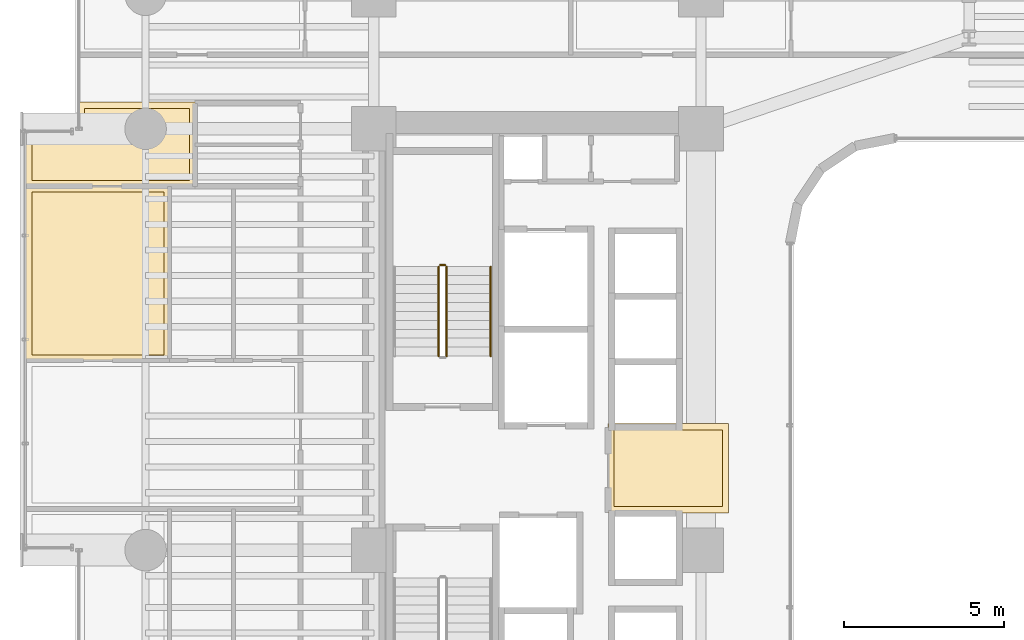
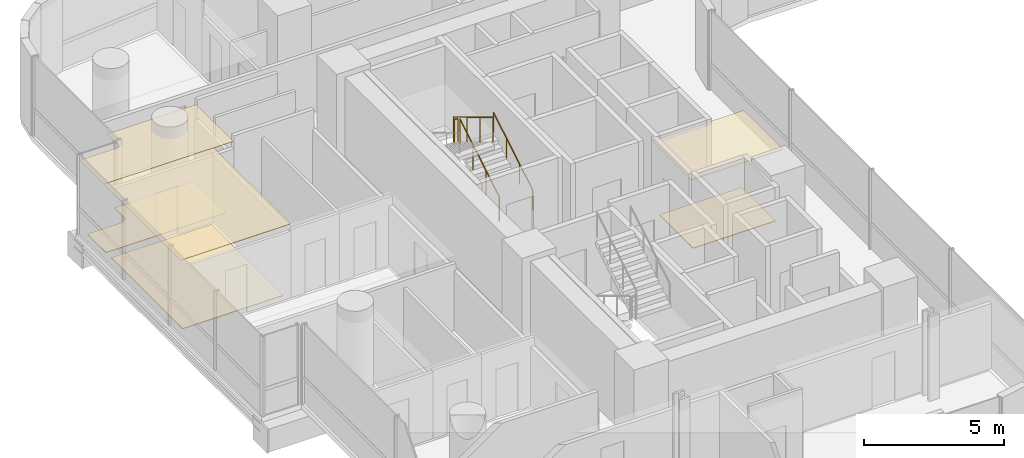
# One storey, part 36 of 40: 6 coverings, 4 railings.
"""IFC4 building model written with IfcOpenShell, lengths in metres."""

from ifc_helpers import new_model, si_unit, direction, frame, origin, origin_2d, place, context, subcontext, project, spatial, polyline, circle, outline, extrude, material, layer, layer_set, type_object, element, save


model = new_model("IFC4")

# Units and contexts
model_context = context("Model", 3, precision=1e-05, world=origin(), true_north=direction((0.0, 1.0)))
body_context = subcontext(model_context, "Body", "Model", "MODEL_VIEW")
ifc_project = project(units=[si_unit("LENGTHUNIT", "METRE"), si_unit("AREAUNIT", "SQUARE_METRE"), si_unit("VOLUMEUNIT", "CUBIC_METRE"), si_unit("PLANEANGLEUNIT", "RADIAN"), si_unit("MASSUNIT", "GRAM", prefix="KILO")], contexts=[model_context])

# Site, building, storey
site_placement = place(None, origin())
site = spatial("IfcSite", under=ifc_project, at=site_placement, CompositionType="ELEMENT")
building_placement = place(site_placement, origin())
building = spatial("IfcBuilding", under=site, at=building_placement, Name="Valdorenza Pilgrim Sanctuary Tower", CompositionType="ELEMENT")
storey_placement = place(building_placement, frame((0.0, 0.0, 44.5)))
storey = spatial("IfcBuildingStorey", under=building, at=storey_placement, Name="L10", CompositionType="ELEMENT", Elevation=44.5)

# Coverings
ifc_material_1 = material(Name="Micro-perforated acoustic mineral ceiling tile", Category="gypsum")
ifc_layer_1 = layer(ifc_material_1, 0.02490234375, Name="Micro-perforated acoustic mineral ceiling tile")
ifc_layer_set_1 = layer_set([ifc_layer_1], Name="Micro-perforated acoustic mineral ceiling tile")
covering_type_1 = type_object("IfcCoveringType", Name="COV-CLG-ACU", PredefinedType="CEILING", material=ifc_layer_set_1)
covering_1_placement = place(storey_placement, frame((0.0, 0.0, 3.159912109375)))
element("IfcCovering", 1, at=covering_1_placement, inside=storey, type_object=covering_type_1, Name="L10 Core A Passenger Lift Lobby Acoustic Ceiling", PredefinedType="CEILING", context=body_context, shape_type="SweptSolid", body=[
    extrude(outline(polyline([(-15.31298828125, 1.244384765625), (-15.31298828125, 1.24462890625), (-15.313720703125, 1.24609375), (-15.314208984375, 1.24755859375), (-15.314697265625, 1.2490234375), (-15.31494140625, 1.25048828125), (-15.31494140625, 1.251953125), (-15.31494140625, 1.35009765625), (-15.31494140625, 1.3515625), (-15.314697265625, 1.352783203125), (-15.314453125, 1.3544921875), (-15.31396484375, 1.355712890625), (-15.313232421875, 1.357177734375), (-15.3125, 1.3583984375), (-15.3115234375, 1.359619140625), (-15.310546875, 1.360595703125), (-15.3095703125, 1.361572265625), (-15.308349609375, 1.362548828125), (-15.30712890625, 1.36328125), (-15.3056640625, 1.364013671875), (-15.304443359375, 1.364501953125), (-15.302978515625, 1.36474609375), (-15.301513671875, 1.364990234375), (-15.300048828125, 1.364990234375), (-15.10205078125, 1.364990234375), (-15.1005859375, 1.364990234375), (-15.09912109375, 1.36474609375), (-15.097412109375, 1.3642578125), (-15.09619140625, 1.36376953125), (-15.0947265625, 1.363037109375), (-15.094482421875, 1.363037109375), (-13.185546875, 1.363037109375), (-13.185302734375, 1.363037109375), (-13.183837890625, 1.36376953125), (-13.1826171875, 1.3642578125), (-13.180908203125, 1.36474609375), (-13.179443359375, 1.364990234375), (-13.177978515625, 1.364990234375), (-11.550048828125, 1.364990234375), (-11.548583984375, 1.364990234375), (-11.547119140625, 1.36474609375), (-11.545654296875, 1.364501953125), (-11.544189453125, 1.364013671875), (-11.54296875, 1.36328125), (-11.541748046875, 1.362548828125), (-11.54052734375, 1.361572265625), (-11.539306640625, 1.360595703125), (-11.538330078125, 1.359619140625), (-11.53759765625, 1.3583984375), (-11.536865234375, 1.357177734375), (-11.5361328125, 1.355712890625), (-11.53564453125, 1.3544921875), (-11.535400390625, 1.352783203125), (-11.53515625, 1.3515625), (-11.534912109375, 1.35009765625), (-11.534912109375, -1.419921875), (-11.53515625, -1.42138671875), (-11.535400390625, -1.4228515625), (-11.53564453125, -1.42431640625), (-11.5361328125, -1.42578125), (-11.536865234375, -1.427001953125), (-11.53759765625, -1.42822265625), (-11.538330078125, -1.429443359375), (-11.539306640625, -1.4306640625), (-11.54052734375, -1.431640625), (-11.541748046875, -1.4326171875), (-11.54296875, -1.43310546875), (-11.544189453125, -1.433837890625), (-11.545654296875, -1.434326171875), (-11.547119140625, -1.434814453125), (-11.548583984375, -1.434814453125), (-11.550048828125, -1.43505859375), (-15.298095703125, -1.43505859375), (-15.299560546875, -1.434814453125), (-15.30078125, -1.434814453125), (-15.302490234375, -1.434326171875), (-15.3037109375, -1.433837890625), (-15.30517578125, -1.43310546875), (-15.306396484375, -1.4326171875), (-15.3076171875, -1.431640625), (-15.30859375, -1.4306640625), (-15.3095703125, -1.429443359375), (-15.310546875, -1.42822265625), (-15.311279296875, -1.427001953125), (-15.31201171875, -1.42578125), (-15.3125, -1.42431640625), (-15.312744140625, -1.4228515625), (-15.31298828125, -1.42138671875), (-15.31298828125, -1.419921875), (-15.31298828125, 1.244384765625)])), origin(), (0.0, 0.0, 1.0), 0.025146484375),
])
covering_2_placement = place(storey_placement, frame((0.0, 0.0, 3.159912109375)))
element("IfcCovering", 2, at=covering_2_placement, inside=storey, type_object=covering_type_1, Name="L10 Pilgrim Scholar Office L10-WN Acoustic Ceiling", PredefinedType="CEILING", context=body_context, shape_type="SweptSolid", body=[
    extrude(outline(polyline([(-28.237060546875, 11.39453125), (-28.237060546875, 10.103759765625), (-28.23681640625, 10.10302734375), (-28.23681640625, 10.1015625), (-28.23681640625, 10.10009765625), (-28.23681640625, 10.098388671875), (-28.237060546875, 10.09814453125), (-28.237060546875, 8.800048828125), (-28.237060546875, 8.798583984375), (-28.2373046875, 8.797119140625), (-28.237548828125, 8.795654296875), (-28.238037109375, 8.794189453125), (-28.23876953125, 8.79296875), (-28.239501953125, 8.791748046875), (-28.240478515625, 8.79052734375), (-28.241455078125, 8.789306640625), (-28.242431640625, 8.788330078125), (-28.24365234375, 8.78759765625), (-28.244873046875, 8.786865234375), (-28.246337890625, 8.7861328125), (-28.24755859375, 8.78564453125), (-28.2490234375, 8.785400390625), (-28.25048828125, 8.78515625), (-28.251953125, 8.784912109375), (-33.5400390625, 8.784912109375), (-33.54150390625, 8.78515625), (-33.54296875, 8.785400390625), (-33.54443359375, 8.78564453125), (-33.545654296875, 8.7861328125), (-33.547119140625, 8.786865234375), (-33.54833984375, 8.78759765625), (-33.549560546875, 8.788330078125), (-33.550537109375, 8.789306640625), (-33.551513671875, 8.79052734375), (-33.552490234375, 8.791748046875), (-33.55322265625, 8.79296875), (-33.553955078125, 8.794189453125), (-33.554443359375, 8.795654296875), (-33.5546875, 8.797119140625), (-33.554931640625, 8.798583984375), (-33.554931640625, 8.800048828125), (-33.554931640625, 10.489990234375), (-33.554931640625, 10.491455078125), (-33.5546875, 10.492919921875), (-33.554443359375, 10.494384765625), (-33.553955078125, 10.49560546875), (-33.55322265625, 10.4970703125), (-33.552490234375, 10.498291015625), (-33.551513671875, 10.49951171875), (-33.550537109375, 10.50048828125), (-33.549560546875, 10.501708984375), (-33.54833984375, 10.50244140625), (-33.547119140625, 10.503173828125), (-33.545654296875, 10.50390625), (-33.54443359375, 10.50439453125), (-33.54296875, 10.504638671875), (-33.54150390625, 10.5048828125), (-33.5400390625, 10.5048828125), (-32.00048828125, 10.5048828125), (-31.99072265625, 10.505615234375), (-31.9814453125, 10.5068359375), (-31.972412109375, 10.509033203125), (-31.963623046875, 10.51220703125), (-31.955078125, 10.51611328125), (-31.947265625, 10.52099609375), (-31.939697265625, 10.526611328125), (-31.932861328125, 10.53271484375), (-31.926513671875, 10.539794921875), (-31.9208984375, 10.547119140625), (-31.916259765625, 10.55517578125), (-31.912109375, 10.563720703125), (-31.9091796875, 10.572509765625), (-31.90673828125, 10.58154296875), (-31.905517578125, 10.5908203125), (-31.905029296875, 10.600341796875), (-31.905029296875, 11.419921875), (-31.90478515625, 11.42138671875), (-31.90478515625, 11.4228515625), (-31.904296875, 11.42431640625), (-31.90380859375, 11.42578125), (-31.9033203125, 11.427001953125), (-31.902587890625, 11.42822265625), (-31.901611328125, 11.429443359375), (-31.900634765625, 11.4306640625), (-31.8994140625, 11.431640625), (-31.898193359375, 11.4326171875), (-31.897216796875, 11.43310546875), (-31.895751953125, 11.433837890625), (-31.894287109375, 11.434326171875), (-31.892822265625, 11.434814453125), (-31.8916015625, 11.434814453125), (-31.889892578125, 11.43505859375), (-28.25, 11.43505859375), (-28.24853515625, 11.434814453125), (-28.2470703125, 11.434814453125), (-28.24560546875, 11.434326171875), (-28.244384765625, 11.433837890625), (-28.242919921875, 11.43310546875), (-28.24169921875, 11.4326171875), (-28.240478515625, 11.431640625), (-28.239501953125, 11.4306640625), (-28.23828125, 11.429443359375), (-28.237548828125, 11.42822265625), (-28.23681640625, 11.427001953125), (-28.236083984375, 11.42578125), (-28.235595703125, 11.42431640625), (-28.2353515625, 11.4228515625), (-28.235107421875, 11.42138671875), (-28.235107421875, 11.419921875), (-28.235107421875, 11.402099609375), (-28.235107421875, 11.400390625), (-28.2353515625, 11.39892578125), (-28.235595703125, 11.3974609375), (-28.236083984375, 11.39599609375), (-28.23681640625, 11.394775390625), (-28.237060546875, 11.39453125)])), origin(), (0.0, 0.0, 1.0), 0.025146484375),
])
covering_3_placement = place(storey_placement, frame((0.0, 0.0, 3.159912109375)))
element("IfcCovering", 3, at=covering_3_placement, inside=storey, type_object=covering_type_1, Name="L10 Pilgrim Family Flat L10-W2 Bedroom Acoustic Ceiling", PredefinedType="CEILING", context=body_context, shape_type="SweptSolid", body=[
    extrude(outline(polyline([(-29.034912109375, 3.340576171875), (-29.03515625, 3.339111328125), (-29.035400390625, 3.337646484375), (-29.03564453125, 3.336181640625), (-29.0361328125, 3.3349609375), (-29.036865234375, 3.33349609375), (-29.03759765625, 3.332275390625), (-29.038330078125, 3.3310546875), (-29.039306640625, 3.330078125), (-29.04052734375, 3.3291015625), (-29.041748046875, 3.328125), (-29.04296875, 3.327392578125), (-29.044189453125, 3.32666015625), (-29.045654296875, 3.326171875), (-29.047119140625, 3.325927734375), (-29.048583984375, 3.32568359375), (-29.050048828125, 3.32568359375), (-33.5400390625, 3.32568359375), (-33.54150390625, 3.32568359375), (-33.54296875, 3.325927734375), (-33.54443359375, 3.326171875), (-33.545654296875, 3.32666015625), (-33.547119140625, 3.327392578125), (-33.54833984375, 3.328125), (-33.549560546875, 3.3291015625), (-33.550537109375, 3.330078125), (-33.551513671875, 3.3310546875), (-33.552490234375, 3.332275390625), (-33.55322265625, 3.33349609375), (-33.553955078125, 3.3349609375), (-33.554443359375, 3.336181640625), (-33.5546875, 3.337646484375), (-33.554931640625, 3.339111328125), (-33.554931640625, 3.340576171875), (-33.554931640625, 8.798095703125), (-33.554931640625, 8.799560546875), (-33.5546875, 8.80078125), (-33.554443359375, 8.802490234375), (-33.553955078125, 8.8037109375), (-33.55322265625, 8.80517578125), (-33.552490234375, 8.806396484375), (-33.551513671875, 8.8076171875), (-33.550537109375, 8.80859375), (-33.549560546875, 8.8095703125), (-33.54833984375, 8.810546875), (-33.547119140625, 8.811279296875), (-33.545654296875, 8.81201171875), (-33.54443359375, 8.8125), (-33.54296875, 8.812744140625), (-33.54150390625, 8.81298828125), (-33.5400390625, 8.81298828125), (-29.050048828125, 8.81298828125), (-29.048583984375, 8.81298828125), (-29.047119140625, 8.812744140625), (-29.045654296875, 8.8125), (-29.044189453125, 8.81201171875), (-29.04296875, 8.811279296875), (-29.041748046875, 8.810546875), (-29.04052734375, 8.8095703125), (-29.039306640625, 8.80859375), (-29.038330078125, 8.8076171875), (-29.03759765625, 8.806396484375), (-29.036865234375, 8.80517578125), (-29.0361328125, 8.8037109375), (-29.03564453125, 8.802490234375), (-29.035400390625, 8.80078125), (-29.03515625, 8.799560546875), (-29.034912109375, 8.798095703125), (-29.034912109375, 3.340576171875)])), origin(), (0.0, 0.0, 1.0), 0.025146484375),
])
ifc_material_2 = material(Name="Engineered European oak timber flooring", Category="wood")
ifc_layer_2 = layer(ifc_material_2, 0.02197265625, Name="Engineered European oak timber flooring")
ifc_layer_set_2 = layer_set([ifc_layer_2], Name="Engineered European oak timber flooring")
covering_type_2 = type_object("IfcCoveringType", Name="COV-FLR-OAK", PredefinedType="FLOORING", material=ifc_layer_set_2)
covering_4_placement = place(storey_placement, origin())
element("IfcCovering", 4, at=covering_4_placement, inside=storey, type_object=covering_type_2, Name="L10 Pilgrim Family Flat L10-W2 Bedroom Flooring", PredefinedType="FLOORING", context=body_context, shape_type="SweptSolid", body=[
    extrude(outline(polyline([(-29.22998046875, 3.5205078125), (-33.360107421875, 3.5205078125), (-33.360107421875, 8.617919921875), (-29.22998046875, 8.617919921875), (-29.22998046875, 3.5205078125)])), origin(), (0.0, 0.0, 1.0), 0.02490234375),
])
ifc_material_3 = material(Name="Honed travertine stone flooring", Category="masonry")
ifc_layer_3 = layer(ifc_material_3, 0.030029296875, Name="Honed travertine stone flooring")
ifc_layer_set_3 = layer_set([ifc_layer_3], Name="Honed travertine stone flooring")
covering_type_3 = type_object("IfcCoveringType", Name="COV-FLR-TRV", PredefinedType="FLOORING", material=ifc_layer_set_3)
covering_5_placement = place(storey_placement, origin())
element("IfcCovering", 5, at=covering_5_placement, inside=storey, type_object=covering_type_3, Name="L10 Core A Passenger Lift Lobby Flooring", PredefinedType="FLOORING", context=body_context, shape_type="SweptSolid", body=[
    extrude(outline(polyline([(-15.117919921875, 1.169189453125), (-15.10888671875, 1.168212890625), (-15.10888671875, 1.168212890625), (-15.10009765625, 1.16796875), (-13.179931640625, 1.16796875), (-13.1796875, 1.16796875), (-11.72998046875, 1.169921875), (-11.72998046875, -1.239990234375), (-15.117919921875, -1.239990234375), (-15.117919921875, 1.169189453125)])), origin(), (0.0, 0.0, 1.0), 0.02490234375),
])
covering_6_placement = place(storey_placement, origin())
element("IfcCovering", 6, at=covering_6_placement, inside=storey, type_object=covering_type_3, Name="L10 Pilgrim Scholar Office L10-WN Flooring", PredefinedType="FLOORING", context=body_context, shape_type="SweptSolid", body=[
    extrude(outline(polyline([(-28.431884765625, 11.239990234375), (-28.431884765625, 10.10205078125), (-28.431884765625, 10.10107421875), (-28.431884765625, 10.100341796875), (-28.431884765625, 10.10009765625), (-28.431884765625, 8.97998046875), (-33.360107421875, 8.97998046875), (-33.360107421875, 10.31005859375), (-32.0, 10.31005859375), (-31.9912109375, 10.310302734375), (-31.98046875, 10.310791015625), (-31.962890625, 10.3125), (-31.9521484375, 10.314208984375), (-31.934814453125, 10.3173828125), (-31.92431640625, 10.320068359375), (-31.907470703125, 10.3251953125), (-31.897216796875, 10.328857421875), (-31.880859375, 10.335693359375), (-31.87109375, 10.34033203125), (-31.855712890625, 10.3486328125), (-31.84619140625, 10.35400390625), (-31.831787109375, 10.364013671875), (-31.822998046875, 10.370361328125), (-31.809326171875, 10.381591796875), (-31.80126953125, 10.388916015625), (-31.788818359375, 10.4013671875), (-31.781494140625, 10.4091796875), (-31.7705078125, 10.423095703125), (-31.763916015625, 10.431640625), (-31.754150390625, 10.4462890625), (-31.74853515625, 10.45556640625), (-31.740234375, 10.47119140625), (-31.735595703125, 10.48095703125), (-31.72900390625, 10.497314453125), (-31.725341796875, 10.50732421875), (-31.72021484375, 10.5244140625), (-31.717529296875, 10.534912109375), (-31.714111328125, 10.552001953125), (-31.71240234375, 10.562744140625), (-31.710693359375, 10.580322265625), (-31.710205078125, 10.59130859375), (-31.7099609375, 10.60009765625), (-31.7099609375, 11.239990234375), (-28.431884765625, 11.239990234375)])), origin(), (0.0, 0.0, 1.0), 0.02490234375),
])

# Railings
ifc_material_4 = material(Name="Stainless steel Grade 316", Category="steel")
railing_type_1 = type_object("IfcRailingType", Name="RLG-GRD-1120", PredefinedType="GUARDRAIL", material=ifc_material_4)
railing_1_placement = place(storey_placement, frame((-20.3701171875, 3.47998046875, 0.168212890625)))
element("IfcRailing", 7, at=railing_1_placement, inside=storey, type_object=railing_type_1, Name="L10 ST-A1 stair guard 1", PredefinedType="GUARDRAIL", context=body_context, shape_type="SweptSolid", body=[
    extrude(circle(Radius=0.02392578125, at=origin_2d()), frame((0.0, 0.0, 1.076171875), z_axis=(0.0, 0.857242210791, 0.514913383045), x_axis=(-1.0, 0.0, 0.0)), (0.0, 0.0, 1.0), 3.266357421875),
    extrude(circle(Radius=0.02099609375, at=origin_2d()), origin(), (0.0, 0.0, 1.0), 1.052001953125),
    extrude(circle(Radius=0.02099609375, at=origin_2d()), frame((0.0, 0.933349609375, 0.560546875)), (0.0, 0.0, 1.0), 1.052001953125),
    extrude(circle(Radius=0.02099609375, at=origin_2d()), frame((0.0, 1.86669921875, 1.121337890625)), (0.0, 0.0, 1.0), 1.052001953125),
    extrude(circle(Radius=0.02099609375, at=origin_2d()), frame((0.0, 2.800048828125, 1.681884765625)), (0.0, 0.0, 1.0), 1.052001953125),
])
railing_2_placement = place(storey_placement, frame((-20.419921875, 6.330078125, 1.85009765625)))
element("IfcRailing", 8, at=railing_2_placement, inside=storey, type_object=railing_type_1, Name="L10 ST-A1 stair guard 2", PredefinedType="GUARDRAIL", context=body_context, shape_type="SweptSolid", body=[
    extrude(circle(Radius=0.02392578125, at=origin_2d()), frame((0.0, 0.0, 1.076171875), z_axis=(-1.0, 0.0, 0.0), x_axis=(0.0, -1.0, 0.0)), (0.0, 0.0, 1.0), 0.150146484375),
    extrude(circle(Radius=0.02099609375, at=origin_2d()), origin(), (0.0, 0.0, 1.0), 1.052001953125),
    extrude(circle(Radius=0.02099609375, at=origin_2d()), frame((-0.150146484375, 0.0, 0.0)), (0.0, 0.0, 1.0), 1.052001953125),
])
railing_3_placement = place(storey_placement, frame((-20.6201171875, 6.280029296875, 2.01806640625)))
element("IfcRailing", 9, at=railing_3_placement, inside=storey, type_object=railing_type_1, Name="L10 ST-A1 stair guard 3", PredefinedType="GUARDRAIL", context=body_context, shape_type="SweptSolid", body=[
    extrude(circle(Radius=0.02392578125, at=origin_2d()), frame((0.0, 0.0, 1.076171875), z_axis=(0.0, -0.857242210791, 0.514913383045), x_axis=(1.0, 0.0, 0.0)), (0.0, 0.0, 1.0), 3.266357421875),
    extrude(circle(Radius=0.02099609375, at=origin_2d()), origin(), (0.0, 0.0, 1.0), 1.052001953125),
    extrude(circle(Radius=0.02099609375, at=origin_2d()), frame((0.0, -0.933349609375, 0.560546875)), (0.0, 0.0, 1.0), 1.052001953125),
    extrude(circle(Radius=0.02099609375, at=origin_2d()), frame((0.0, -1.86669921875, 1.121337890625)), (0.0, 0.0, 1.0), 1.052001953125),
    extrude(circle(Radius=0.02099609375, at=origin_2d()), frame((0.0, -2.800048828125, 1.681884765625)), (0.0, 0.0, 1.0), 1.052001953125),
])
ifc_material_5 = material(Name="Brushed stainless steel Grade 316", Category="steel")
railing_type_2 = type_object("IfcRailingType", Name="RLG-HND-920", PredefinedType="HANDRAIL", material=ifc_material_5)
railing_4_placement = place(storey_placement, frame((-18.989990234375, 3.47998046875, 0.168212890625)))
element("IfcRailing", 10, at=railing_4_placement, inside=storey, type_object=railing_type_2, Name="L10 ST-A1 stair handrail 1", PredefinedType="HANDRAIL", context=body_context, shape_type="SweptSolid", body=[
    extrude(circle(Radius=0.02392578125, at=origin_2d()), frame((0.0, 0.0, 0.8759765625), z_axis=(0.0, 0.857242210791, 0.514913383045), x_axis=(-1.0, 0.0, 0.0)), (0.0, 0.0, 1.0), 3.266357421875),
    extrude(circle(Radius=0.02099609375, at=origin_2d()), origin(), (0.0, 0.0, 1.0), 0.851806640625),
    extrude(circle(Radius=0.02099609375, at=origin_2d()), frame((0.0, 0.933349609375, 0.560546875)), (0.0, 0.0, 1.0), 0.851806640625),
    extrude(circle(Radius=0.02099609375, at=origin_2d()), frame((0.0, 1.86669921875, 1.121337890625)), (0.0, 0.0, 1.0), 0.851806640625),
    extrude(circle(Radius=0.02099609375, at=origin_2d()), frame((0.0, 2.800048828125, 1.681884765625)), (0.0, 0.0, 1.0), 0.851806640625),
])

save(model, "model.ifc")
